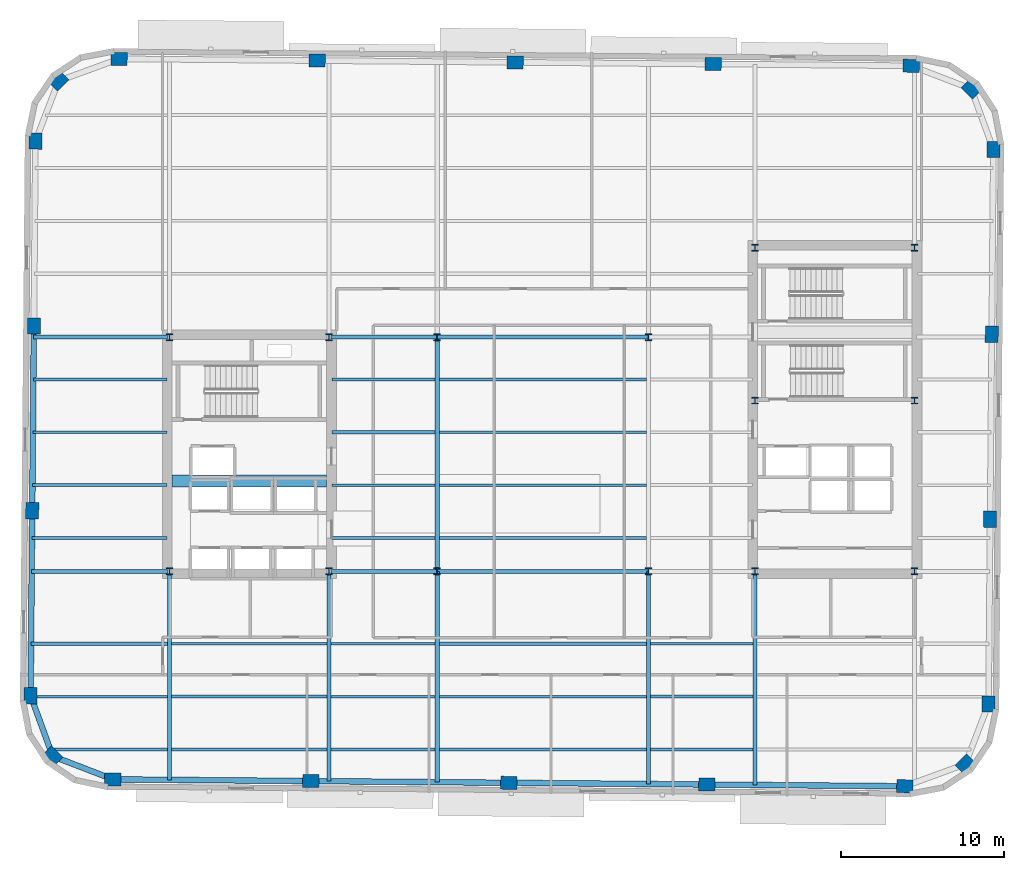
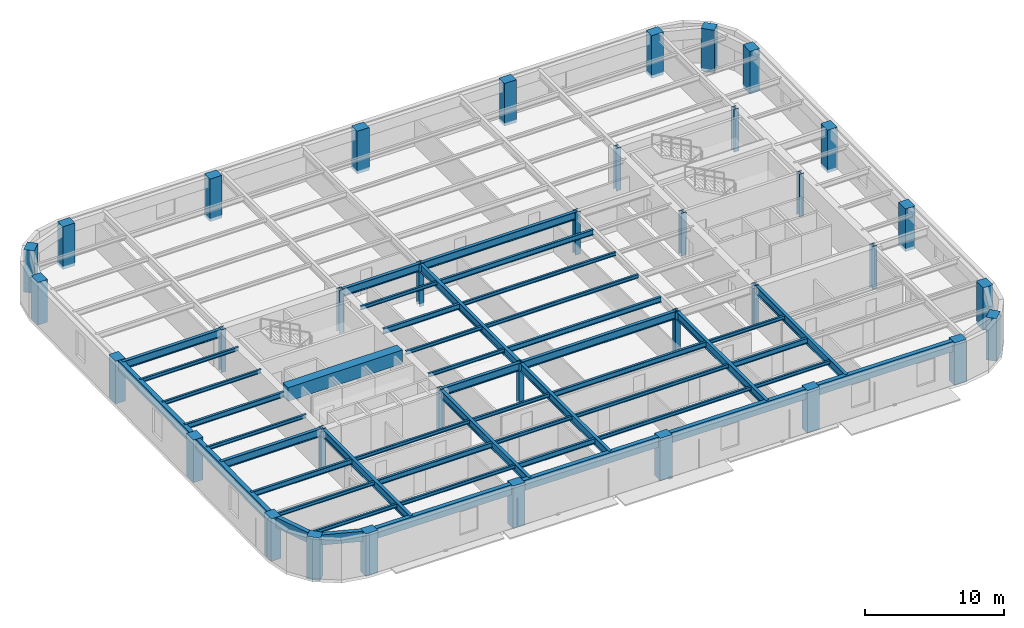
# One storey, part 1 of 11: 48 beams, 36 columns.
"""IFC4 building model written with IfcOpenShell, lengths in metres."""

from ifc_helpers import new_model, si_unit, direction, frame, origin, origin_2d, place, context, subcontext, project, spatial, rectangle, hollow_rectangle, i_section, extrude, material, material_profile, profile_set, type_object, element, save


model = new_model("IFC4")

# Units and contexts
model_context = context("Model", 3, precision=1e-05, world=origin(), true_north=direction((0.0, 1.0)))
body_context = subcontext(model_context, "Body", "Model", "MODEL_VIEW")
ifc_project = project(units=[si_unit("LENGTHUNIT", "METRE"), si_unit("AREAUNIT", "SQUARE_METRE"), si_unit("VOLUMEUNIT", "CUBIC_METRE"), si_unit("PLANEANGLEUNIT", "RADIAN"), si_unit("MASSUNIT", "GRAM", prefix="KILO")], contexts=[model_context])

# Site, building, storey
site_placement = place(None, origin())
site = spatial("IfcSite", under=ifc_project, at=site_placement, CompositionType="ELEMENT")
building_placement = place(site_placement, origin())
building = spatial("IfcBuilding", under=site, at=building_placement, Name="Kolvaren Arena Tower", CompositionType="ELEMENT")
storey_placement = place(building_placement, frame((0.0, 0.0, 195.949951171875)))
storey = spatial("IfcBuildingStorey", under=building, at=storey_placement, Name="L47", CompositionType="ELEMENT", Elevation=195.949951171875)

# Columns
ifc_material_1 = material(Name="Precast concrete C60/75", Category="concrete")
ifc_material_profile_1 = material_profile(ifc_material_1, rectangle(XDim=1.0, YDim=0.800048828125, at=origin_2d()), Name="RC-1000x800")
ifc_profile_set_1 = profile_set([ifc_material_profile_1], Name="Precast concrete C60/75")
column_type_1 = type_object("IfcColumnType", Name="EXCOL-Z3", PredefinedType="COLUMN", material=ifc_profile_set_1)
for number, where, z_axis, x_axis, name in (
    (1, (11.0576171875, 6.663330078125, -0.27001953125), (0.0, 0.0, 1.0), (0.999961923064, -0.008726535498, 0.0), "Exoskeleton Perimeter Column 01 (L47)"),
    (2, (23.232177734375, 6.55712890625, -0.27001953125), (0.0, 0.0, 1.0), (0.999961923064, -0.008726535498, 0.0), "Exoskeleton Perimeter Column 02 (L47)"),
    (3, (35.40673828125, 6.45068359375, -0.27001953125), (0.0, 0.0, 1.0), (0.999961923064, -0.008726535498, 0.0), "Exoskeleton Perimeter Column 03 (L47)"),
    (4, (47.581298828125, 6.344482421875, -0.27001953125), (0.0, 0.0, 1.0), (0.999961923064, -0.008726535498, 0.0), "Exoskeleton Perimeter Column 04 (L47)"),
    (5, (59.755859375, 6.23828125, -0.27001953125), (0.0, 0.0, 1.0), (0.999961923064, -0.008726535498, 0.0), "Exoskeleton Perimeter Column 05 (L47)"),
    (6, (63.4765625, 7.59716796875, -0.27001953125), (0.0, 0.0, 1.0), (0.713250449154, 0.7009092643, 0.0), "Exoskeleton Perimeter Column 06 (L47)"),
    (7, (64.900146484375, 11.293701171875, -0.27001953125), (0.0, 0.0, 1.0), (0.008726535498, 0.999961923064, 0.0), "Exoskeleton Perimeter Column 07 (L47)"),
    (8, (64.999267578125, 22.659912109375, -0.27001953125), (0.0, 0.0, 1.0), (0.008726535498, 0.999961923064, 0.0), "Exoskeleton Perimeter Column 08 (L47)"),
    (9, (65.098388671875, 34.026123046875, -0.27001953125), (0.0, 0.0, 1.0), (0.008726535498, 0.999961923064, 0.0), "Exoskeleton Perimeter Column 09 (L47)"),
    (10, (65.19775390625, 45.392333984375, -0.27001953125), (0.0, 0.0, 1.0), (0.008726535498, 0.999961923064, 0.0), "Exoskeleton Perimeter Column 10 (L47)"),
    (11, (63.8388671875, 49.113037109375, -0.27001953125), (0.0, 0.0, 1.0), (-0.7009092643, 0.713250449154, 0.0), "Exoskeleton Perimeter Column 11 (L47)"),
    (12, (60.142333984375, 50.53662109375, -0.27001953125), (0.0, 0.0, 1.0), (0.999961923064, -0.008726535498, 0.0), "Exoskeleton Perimeter Column 12 (L47)"),
    (13, (47.9677734375, 50.642822265625, -0.27001953125), (0.0, 0.0, 1.0), (0.999961923064, -0.008726535498, 0.0), "Exoskeleton Perimeter Column 13 (L47)"),
    (14, (35.793212890625, 50.749267578125, -0.27001953125), (0.0, 0.0, 1.0), (0.999961923064, -0.008726535498, 0.0), "Exoskeleton Perimeter Column 14 (L47)"),
    (15, (23.618896484375, 50.85546875, -0.27001953125), (0.0, 0.0, 1.0), (0.999961923064, -0.008726535498, 0.0), "Exoskeleton Perimeter Column 15 (L47)"),
    (16, (11.444091796875, 50.961669921875, -0.27001953125), (0.0, 0.0, 1.0), (0.999961923064, -0.008726535498, 0.0), "Exoskeleton Perimeter Column 16 (L47)"),
    (17, (7.723388671875, 49.602783203125, -0.27001953125), (0.0, 0.0, 1.0), (0.713250449154, 0.7009092643, 0.0), "Exoskeleton Perimeter Column 17 (L47)"),
    (18, (6.2998046875, 45.90625, -0.27001953125), (0.0, 0.0, 1.0), (0.008726535498, 0.999961923064, 0.0), "Exoskeleton Perimeter Column 18 (L47)"),
    (19, (6.20068359375, 34.5400390625, -0.27001953125), (0.0, 0.0, 1.0), (0.008726535498, 0.999961923064, 0.0), "Exoskeleton Perimeter Column 19 (L47)"),
    (20, (6.1015625, 23.173828125, -0.27001953125), (0.0, 0.0, 1.0), (0.008726535498, 0.999961923064, 0.0), "Exoskeleton Perimeter Column 20 (L47)"),
    (21, (6.002197265625, 11.8076171875, -0.27001953125), (0.0, 0.0, 1.0), (0.008726535498, 0.999961923064, 0.0), "Exoskeleton Perimeter Column 21 (L47)"),
    (22, (7.361083984375, 8.0869140625, -0.27001953125), (0.0, 0.0, 1.0), (-0.7009092643, 0.713250449154, 0.0), "Exoskeleton Perimeter Column 22 (L47)"),
):
    element("IfcColumn", number, at=place(storey_placement, frame(where, z_axis=z_axis, x_axis=x_axis)), inside=storey, type_object=column_type_1, Name=name, PredefinedType="COLUMN", context=body_context, shape_type="SweptSolid", body=[
        extrude(rectangle(XDim=1.0, YDim=0.800048828125, at=origin_2d()), origin(), (0.0, 0.0, 1.0), 3.75),
    ])
ifc_material_2 = material(Name="Steel ASTM A913 Grade 65", Category="steel")
ifc_material_profile_2 = material_profile(ifc_material_2, i_section(OverallWidth=0.406005859375, OverallDepth=0.416015625, WebThickness=0.02978515625, FlangeThickness=0.048095703125, FilletRadius=0.02001953125, at=origin_2d()), Name="W360x382")
ifc_profile_set_2 = profile_set([ifc_material_profile_2], Name="Steel ASTM A913 Grade 65")
column_type_2 = type_object("IfcColumnType", Name="SCOL-Z3", PredefinedType="COLUMN", material=ifc_profile_set_2)
for number, where, z_axis, x_axis, name in (
    (23, (14.550048828125, 19.449951171875, -0.27001953125), (0.0, 0.0, 1.0), (1.0, 0.0, 0.0), "Core Boundary Column WC-SW (L47)"),
    (24, (24.35009765625, 19.449951171875, -0.27001953125), (0.0, 0.0, 1.0), (1.0, 0.0, 0.0), "Core Boundary Column WC-SE (L47)"),
    (25, (14.550048828125, 33.85009765625, -0.27001953125), (0.0, 0.0, 1.0), (1.0, 0.0, 0.0), "Core Boundary Column WC-NW (L47)"),
    (26, (24.35009765625, 33.85009765625, -0.27001953125), (0.0, 0.0, 1.0), (1.0, 0.0, 0.0), "Core Boundary Column WC-NE (L47)"),
    (27, (50.550048828125, 19.449951171875, -0.27001953125), (0.0, 0.0, 1.0), (1.0, 0.0, 0.0), "Core Boundary Column EC-SW (L47)"),
    (28, (60.35009765625, 19.449951171875, -0.27001953125), (0.0, 0.0, 1.0), (1.0, 0.0, 0.0), "Core Boundary Column EC-SE (L47)"),
    (29, (50.550048828125, 29.949951171875, -0.27001953125), (0.0, 0.0, 1.0), (1.0, 0.0, 0.0), "Core Boundary Column EC-MW (L47)"),
    (30, (60.35009765625, 29.949951171875, -0.27001953125), (0.0, 0.0, 1.0), (1.0, 0.0, 0.0), "Core Boundary Column EC-ME (L47)"),
    (31, (50.550048828125, 39.35009765625, -0.27001953125), (0.0, 0.0, 1.0), (1.0, 0.0, 0.0), "Core Boundary Column EC-NW (L47)"),
    (32, (60.35009765625, 39.35009765625, -0.27001953125), (0.0, 0.0, 1.0), (1.0, 0.0, 0.0), "Core Boundary Column EC-NE (L47)"),
    (33, (31.0, 19.449951171875, -0.27001953125), (0.0, 0.0, 1.0), (1.0, 0.0, 0.0), "Interior Gravity Column TC-SW (L47)"),
    (34, (44.0, 19.449951171875, -0.27001953125), (0.0, 0.0, 1.0), (1.0, 0.0, 0.0), "Interior Gravity Column TC-SE (L47)"),
    (35, (31.0, 33.85009765625, -0.27001953125), (0.0, 0.0, 1.0), (1.0, 0.0, 0.0), "Interior Gravity Column TC-NW (L47)"),
    (36, (44.0, 33.85009765625, -0.27001953125), (0.0, 0.0, 1.0), (1.0, 0.0, 0.0), "Interior Gravity Column TC-NE (L47)"),
):
    element("IfcColumn", number, at=place(storey_placement, frame(where, z_axis=z_axis, x_axis=x_axis)), inside=storey, type_object=column_type_2, Name=name, PredefinedType="COLUMN", context=body_context, shape_type="SweptSolid", body=[
        extrude(i_section(OverallWidth=0.406005859375, OverallDepth=0.416015625, WebThickness=0.02978515625, FlangeThickness=0.048095703125, FilletRadius=0.02001953125, at=origin_2d()), origin(), (0.0, 0.0, 1.0), 3.75),
    ])

# Beams
ifc_material_3 = material(Name="Steel CSA G40.21 350W", Category="steel")
ifc_material_profile_3 = material_profile(ifc_material_3, i_section(OverallWidth=0.193115234375, OverallDepth=0.462890625, WebThickness=0.0107421875, FlangeThickness=0.0205078125, FilletRadius=0.012939453125, at=origin_2d()), Name="W460x113")
ifc_profile_set_3 = profile_set([ifc_material_profile_3], Name="Steel CSA G40.21 350W")
beam_type_1 = type_object("IfcBeamType", Name="BEAM-F2", PredefinedType="BEAM", material=ifc_profile_set_3)
beam_1_placement = place(storey_placement, frame((24.4775390625, 8.5, 3.24853515625), z_axis=(1.0, 0.0, 0.0), x_axis=(0.0, 1.0, 0.0)))
element("IfcBeam", 37, at=beam_1_placement, inside=storey, type_object=beam_type_1, Name="Composite Floor Beam (L47)", PredefinedType="BEAM", context=body_context, shape_type="SweptSolid", body=[
    extrude(i_section(OverallWidth=0.193115234375, OverallDepth=0.462890625, WebThickness=0.0107421875, FlangeThickness=0.0205078125, FilletRadius=0.012939453125, at=origin_2d()), origin(), (0.0, 0.0, 1.0), 6.39501953125),
])
beam_2_placement = place(storey_placement, frame((14.677490234375, 11.75, 3.24853515625), z_axis=(1.0, 0.0, 0.0), x_axis=(0.0, 1.0, 0.0)))
element("IfcBeam", 38, at=beam_2_placement, inside=storey, type_object=beam_type_1, Name="Composite Floor Beam (L47)", PredefinedType="BEAM", context=body_context, shape_type="SweptSolid", body=[
    extrude(i_section(OverallWidth=0.193115234375, OverallDepth=0.462890625, WebThickness=0.0107421875, FlangeThickness=0.0205078125, FilletRadius=0.012939453125, at=origin_2d()), origin(), (0.0, 0.0, 1.0), 9.544921875),
])
beam_3_placement = place(storey_placement, frame((44.12744140625, 11.75, 3.24853515625), z_axis=(1.0, 0.0, 0.0), x_axis=(0.0, 1.0, 0.0)))
element("IfcBeam", 39, at=beam_3_placement, inside=storey, type_object=beam_type_1, Name="Composite Floor Beam (L47)", PredefinedType="BEAM", context=body_context, shape_type="SweptSolid", body=[
    extrude(i_section(OverallWidth=0.193115234375, OverallDepth=0.462890625, WebThickness=0.0107421875, FlangeThickness=0.0205078125, FilletRadius=0.012939453125, at=origin_2d()), origin(), (0.0, 0.0, 1.0), 6.295166015625),
])
beam_4_placement = place(storey_placement, frame((6.0302734375, 15.0, 3.24853515625), z_axis=(1.0, 0.0, 0.0), x_axis=(0.0, 1.0, 0.0)))
element("IfcBeam", 40, at=beam_4_placement, inside=storey, type_object=beam_type_1, Name="Composite Floor Beam (L47)", PredefinedType="BEAM", context=body_context, shape_type="SweptSolid", body=[
    extrude(i_section(OverallWidth=0.193115234375, OverallDepth=0.462890625, WebThickness=0.0107421875, FlangeThickness=0.0205078125, FilletRadius=0.012939453125, at=origin_2d()), origin(), (0.0, 0.0, 1.0), 8.392333984375),
])
for number, where, z_axis, x_axis, name in (
    (41, (31.12744140625, 15.0, 3.24853515625), (1.0, 0.0, 0.0), (0.0, 1.0, 0.0), "Composite Floor Beam (L47)"),
    (42, (31.12744140625, 21.5, 3.24853515625), (1.0, 0.0, 0.0), (0.0, 1.0, 0.0), "Composite Floor Beam (L47)"),
):
    element("IfcBeam", number, at=place(storey_placement, frame(where, z_axis=z_axis, x_axis=x_axis)), inside=storey, type_object=beam_type_1, Name=name, PredefinedType="BEAM", context=body_context, shape_type="SweptSolid", body=[
        extrude(i_section(OverallWidth=0.193115234375, OverallDepth=0.462890625, WebThickness=0.0107421875, FlangeThickness=0.0205078125, FilletRadius=0.012939453125, at=origin_2d()), origin(), (0.0, 0.0, 1.0), 12.7451171875),
    ])
beam_5_placement = place(storey_placement, frame((6.115234375, 24.75, 3.24853515625), z_axis=(1.0, 0.0, 0.0), x_axis=(0.0, 1.0, 0.0)))
element("IfcBeam", 43, at=beam_5_placement, inside=storey, type_object=beam_type_1, Name="Composite Floor Beam (L47)", PredefinedType="BEAM", context=body_context, shape_type="SweptSolid", body=[
    extrude(i_section(OverallWidth=0.193115234375, OverallDepth=0.462890625, WebThickness=0.0107421875, FlangeThickness=0.0205078125, FilletRadius=0.012939453125, at=origin_2d()), origin(), (0.0, 0.0, 1.0), 8.2646484375),
])
beam_6_placement = place(storey_placement, frame((24.52001953125, 28.0, 3.24853515625), z_axis=(1.0, 0.0, 0.0), x_axis=(0.0, 1.0, 0.0)))
element("IfcBeam", 44, at=beam_6_placement, inside=storey, type_object=beam_type_1, Name="Composite Floor Beam (L47)", PredefinedType="BEAM", context=body_context, shape_type="SweptSolid", body=[
    extrude(i_section(OverallWidth=0.193115234375, OverallDepth=0.462890625, WebThickness=0.0107421875, FlangeThickness=0.0205078125, FilletRadius=0.012939453125, at=origin_2d()), origin(), (0.0, 0.0, 1.0), 6.3525390625),
])
beam_7_placement = place(storey_placement, frame((31.12744140625, 31.25, 3.24853515625), z_axis=(1.0, 0.0, 0.0), x_axis=(0.0, 1.0, 0.0)))
element("IfcBeam", 45, at=beam_7_placement, inside=storey, type_object=beam_type_1, Name="Composite Floor Beam (L47)", PredefinedType="BEAM", context=body_context, shape_type="SweptSolid", body=[
    extrude(i_section(OverallWidth=0.193115234375, OverallDepth=0.462890625, WebThickness=0.0107421875, FlangeThickness=0.0205078125, FilletRadius=0.012939453125, at=origin_2d()), origin(), (0.0, 0.0, 1.0), 12.7451171875),
])
ifc_material_4 = material(Name="Concrete 60 MPa", Category="concrete")
ifc_material_profile_4 = material_profile(ifc_material_4, rectangle(XDim=0.75, YDim=1.199951171875, at=origin_2d()), Name="RC-750x1200")
ifc_profile_set_4 = profile_set([ifc_material_profile_4], Name="Concrete 60 MPa")
beam_type_2 = type_object("IfcBeamType", Name="CB-CORE-2", PredefinedType="BEAM", material=ifc_profile_set_4)
beam_8_placement = place(storey_placement, frame((14.699951171875, 25.0, 3.150146484375), z_axis=(1.0, 0.0, 0.0), x_axis=(0.0, 1.0, 0.0)))
element("IfcBeam", 46, at=beam_8_placement, inside=storey, type_object=beam_type_2, Name="West Core Coupling Beam (L47)", PredefinedType="BEAM", context=body_context, shape_type="SweptSolid", body=[
    extrude(rectangle(XDim=0.75, YDim=1.199951171875, at=origin_2d()), origin(), (0.0, 0.0, 1.0), 9.5),
])
ifc_material_profile_5 = material_profile(ifc_material_3, i_section(OverallWidth=0.2548828125, OverallDepth=0.695068359375, WebThickness=0.01708984375, FlangeThickness=0.02978515625, FilletRadius=0.01611328125, at=origin_2d()), Name="W690x217")
ifc_profile_set_5 = profile_set([ifc_material_profile_5], Name="Steel CSA G40.21 350W")
beam_type_3 = type_object("IfcBeamType", Name="GIRD-T2", PredefinedType="BEAM", material=ifc_profile_set_5)
beam_9_placement = place(storey_placement, frame((6.069091796875, 19.449951171875, 3.132568359375), z_axis=(1.0, 0.0, 0.0), x_axis=(0.0, 1.0, 0.0)))
element("IfcBeam", 47, at=beam_9_placement, inside=storey, type_object=beam_type_3, Name="Primary Floor Girder (L47)", PredefinedType="BEAM", context=body_context, shape_type="SweptSolid", body=[
    extrude(i_section(OverallWidth=0.2548828125, OverallDepth=0.695068359375, WebThickness=0.01708984375, FlangeThickness=0.02978515625, FilletRadius=0.01611328125, at=origin_2d()), origin(), (0.0, 0.0, 1.0), 8.350830078125),
])
beam_10_placement = place(storey_placement, frame((24.47998046875, 19.449951171875, 3.132568359375), z_axis=(1.0, 0.0, 0.0), x_axis=(0.0, 1.0, 0.0)))
element("IfcBeam", 48, at=beam_10_placement, inside=storey, type_object=beam_type_3, Name="Primary Floor Girder (L47)", PredefinedType="BEAM", context=body_context, shape_type="SweptSolid", body=[
    extrude(i_section(OverallWidth=0.2548828125, OverallDepth=0.695068359375, WebThickness=0.01708984375, FlangeThickness=0.02978515625, FilletRadius=0.01611328125, at=origin_2d()), origin(), (0.0, 0.0, 1.0), 6.52001953125),
])
beam_11_placement = place(storey_placement, frame((31.0, 19.449951171875, 3.132568359375), z_axis=(1.0, 0.0, 0.0), x_axis=(0.0, 1.0, 0.0)))
element("IfcBeam", 49, at=beam_11_placement, inside=storey, type_object=beam_type_3, Name="Primary Floor Girder (L47)", PredefinedType="BEAM", context=body_context, shape_type="SweptSolid", body=[
    extrude(i_section(OverallWidth=0.2548828125, OverallDepth=0.695068359375, WebThickness=0.01708984375, FlangeThickness=0.02978515625, FilletRadius=0.01611328125, at=origin_2d()), origin(), (0.0, 0.0, 1.0), 13.0),
])
beam_12_placement = place(storey_placement, frame((6.194580078125, 33.85009765625, 3.132568359375), z_axis=(1.0, 0.0, 0.0), x_axis=(0.0, 1.0, 0.0)))
element("IfcBeam", 50, at=beam_12_placement, inside=storey, type_object=beam_type_3, Name="Primary Floor Girder (L47)", PredefinedType="BEAM", context=body_context, shape_type="SweptSolid", body=[
    extrude(i_section(OverallWidth=0.2548828125, OverallDepth=0.695068359375, WebThickness=0.01708984375, FlangeThickness=0.02978515625, FilletRadius=0.01611328125, at=origin_2d()), origin(), (0.0, 0.0, 1.0), 8.225341796875),
])
beam_13_placement = place(storey_placement, frame((24.47998046875, 33.85009765625, 3.132568359375), z_axis=(1.0, 0.0, 0.0), x_axis=(0.0, 1.0, 0.0)))
element("IfcBeam", 51, at=beam_13_placement, inside=storey, type_object=beam_type_3, Name="Primary Floor Girder (L47)", PredefinedType="BEAM", context=body_context, shape_type="SweptSolid", body=[
    extrude(i_section(OverallWidth=0.2548828125, OverallDepth=0.695068359375, WebThickness=0.01708984375, FlangeThickness=0.02978515625, FilletRadius=0.01611328125, at=origin_2d()), origin(), (0.0, 0.0, 1.0), 6.52001953125),
])
beam_14_placement = place(storey_placement, frame((31.0, 33.85009765625, 3.132568359375), z_axis=(1.0, 0.0, 0.0), x_axis=(0.0, 1.0, 0.0)))
element("IfcBeam", 52, at=beam_14_placement, inside=storey, type_object=beam_type_3, Name="Primary Floor Girder (L47)", PredefinedType="BEAM", context=body_context, shape_type="SweptSolid", body=[
    extrude(i_section(OverallWidth=0.2548828125, OverallDepth=0.695068359375, WebThickness=0.01708984375, FlangeThickness=0.02978515625, FilletRadius=0.01611328125, at=origin_2d()), origin(), (0.0, 0.0, 1.0), 13.0),
])
beam_15_placement = place(storey_placement, frame((14.550048828125, 6.6328125, 3.132568359375), z_axis=(0.0, 1.0, 0.0), x_axis=(-1.0, 0.0, 0.0)))
element("IfcBeam", 53, at=beam_15_placement, inside=storey, type_object=beam_type_3, Name="Primary Floor Girder (L47)", PredefinedType="BEAM", context=body_context, shape_type="SweptSolid", body=[
    extrude(i_section(OverallWidth=0.2548828125, OverallDepth=0.695068359375, WebThickness=0.01708984375, FlangeThickness=0.02978515625, FilletRadius=0.01611328125, at=origin_2d()), origin(), (0.0, 0.0, 1.0), 12.687255859375),
])
beam_16_placement = place(storey_placement, frame((24.35009765625, 6.54736328125, 3.132568359375), z_axis=(0.0, 1.0, 0.0), x_axis=(-1.0, 0.0, 0.0)))
element("IfcBeam", 54, at=beam_16_placement, inside=storey, type_object=beam_type_3, Name="Primary Floor Girder (L47)", PredefinedType="BEAM", context=body_context, shape_type="SweptSolid", body=[
    extrude(i_section(OverallWidth=0.2548828125, OverallDepth=0.695068359375, WebThickness=0.01708984375, FlangeThickness=0.02978515625, FilletRadius=0.01611328125, at=origin_2d()), origin(), (0.0, 0.0, 1.0), 12.772705078125),
])
beam_17_placement = place(storey_placement, frame((31.0, 6.4892578125, 3.132568359375), z_axis=(0.0, 1.0, 0.0), x_axis=(-1.0, 0.0, 0.0)))
element("IfcBeam", 55, at=beam_17_placement, inside=storey, type_object=beam_type_3, Name="Primary Floor Girder (L47)", PredefinedType="BEAM", context=body_context, shape_type="SweptSolid", body=[
    extrude(i_section(OverallWidth=0.2548828125, OverallDepth=0.695068359375, WebThickness=0.01708984375, FlangeThickness=0.02978515625, FilletRadius=0.01611328125, at=origin_2d()), origin(), (0.0, 0.0, 1.0), 12.960693359375),
])
beam_18_placement = place(storey_placement, frame((31.0, 19.449951171875, 3.132568359375), z_axis=(0.0, 1.0, 0.0), x_axis=(-1.0, 0.0, 0.0)))
element("IfcBeam", 56, at=beam_18_placement, inside=storey, type_object=beam_type_3, Name="Primary Floor Girder (L47)", PredefinedType="BEAM", context=body_context, shape_type="SweptSolid", body=[
    extrude(i_section(OverallWidth=0.2548828125, OverallDepth=0.695068359375, WebThickness=0.01708984375, FlangeThickness=0.02978515625, FilletRadius=0.01611328125, at=origin_2d()), origin(), (0.0, 0.0, 1.0), 14.400146484375),
])
beam_19_placement = place(storey_placement, frame((44.0, 6.375732421875, 3.132568359375), z_axis=(0.0, 1.0, 0.0), x_axis=(-1.0, 0.0, 0.0)))
element("IfcBeam", 57, at=beam_19_placement, inside=storey, type_object=beam_type_3, Name="Primary Floor Girder (L47)", PredefinedType="BEAM", context=body_context, shape_type="SweptSolid", body=[
    extrude(i_section(OverallWidth=0.2548828125, OverallDepth=0.695068359375, WebThickness=0.01708984375, FlangeThickness=0.02978515625, FilletRadius=0.01611328125, at=origin_2d()), origin(), (0.0, 0.0, 1.0), 13.07421875),
])
beam_20_placement = place(storey_placement, frame((50.550048828125, 6.318603515625, 3.132568359375), z_axis=(0.0, 1.0, 0.0), x_axis=(-1.0, 0.0, 0.0)))
element("IfcBeam", 58, at=beam_20_placement, inside=storey, type_object=beam_type_3, Name="Primary Floor Girder (L47)", PredefinedType="BEAM", context=body_context, shape_type="SweptSolid", body=[
    extrude(i_section(OverallWidth=0.2548828125, OverallDepth=0.695068359375, WebThickness=0.01708984375, FlangeThickness=0.02978515625, FilletRadius=0.01611328125, at=origin_2d()), origin(), (0.0, 0.0, 1.0), 13.00146484375),
])
ifc_material_profile_6 = material_profile(ifc_material_3, i_section(OverallWidth=0.1669921875, OverallDepth=0.31689453125, WebThickness=0.007568359375, FlangeThickness=0.01318359375, FilletRadius=0.010009765625, at=origin_2d()), Name="W310x52")
ifc_profile_set_6 = profile_set([ifc_material_profile_6], Name="Steel CSA G40.21 350W")
beam_type_4 = type_object("IfcBeamType", Name="JOIST-02", PredefinedType="JOIST", material=ifc_profile_set_6)
beam_21_placement = place(storey_placement, frame((7.210205078125, 8.5, 3.321533203125), z_axis=(1.0, 0.0, 0.0), x_axis=(0.0, 1.0, 0.0)))
element("IfcBeam", 59, at=beam_21_placement, inside=storey, type_object=beam_type_4, Name="Composite Floor Joist (L47)", PredefinedType="JOIST", context=body_context, shape_type="SweptSolid", body=[
    extrude(i_section(OverallWidth=0.1669921875, OverallDepth=0.31689453125, WebThickness=0.007568359375, FlangeThickness=0.01318359375, FilletRadius=0.010009765625, at=origin_2d()), origin(), (0.0, 0.0, 1.0), 7.21240234375),
])
beam_22_placement = place(storey_placement, frame((14.677490234375, 8.5, 3.321533203125), z_axis=(1.0, 0.0, 0.0), x_axis=(0.0, 1.0, 0.0)))
element("IfcBeam", 60, at=beam_22_placement, inside=storey, type_object=beam_type_4, Name="Composite Floor Joist (L47)", PredefinedType="JOIST", context=body_context, shape_type="SweptSolid", body=[
    extrude(i_section(OverallWidth=0.1669921875, OverallDepth=0.31689453125, WebThickness=0.007568359375, FlangeThickness=0.01318359375, FilletRadius=0.010009765625, at=origin_2d()), origin(), (0.0, 0.0, 1.0), 9.544921875),
])
beam_23_placement = place(storey_placement, frame((31.12744140625, 8.5, 3.321533203125), z_axis=(1.0, 0.0, 0.0), x_axis=(0.0, 1.0, 0.0)))
element("IfcBeam", 61, at=beam_23_placement, inside=storey, type_object=beam_type_4, Name="Composite Floor Joist (L47)", PredefinedType="JOIST", context=body_context, shape_type="SweptSolid", body=[
    extrude(i_section(OverallWidth=0.1669921875, OverallDepth=0.31689453125, WebThickness=0.007568359375, FlangeThickness=0.01318359375, FilletRadius=0.010009765625, at=origin_2d()), origin(), (0.0, 0.0, 1.0), 12.7451171875),
])
beam_24_placement = place(storey_placement, frame((44.12744140625, 8.5, 3.321533203125), z_axis=(1.0, 0.0, 0.0), x_axis=(0.0, 1.0, 0.0)))
element("IfcBeam", 62, at=beam_24_placement, inside=storey, type_object=beam_type_4, Name="Composite Floor Joist (L47)", PredefinedType="JOIST", context=body_context, shape_type="SweptSolid", body=[
    extrude(i_section(OverallWidth=0.1669921875, OverallDepth=0.31689453125, WebThickness=0.007568359375, FlangeThickness=0.01318359375, FilletRadius=0.010009765625, at=origin_2d()), origin(), (0.0, 0.0, 1.0), 6.295166015625),
])
beam_25_placement = place(storey_placement, frame((6.023193359375, 11.75, 3.321533203125), z_axis=(1.0, 0.0, 0.0), x_axis=(0.0, 1.0, 0.0)))
element("IfcBeam", 63, at=beam_25_placement, inside=storey, type_object=beam_type_4, Name="Composite Floor Joist (L47)", PredefinedType="JOIST", context=body_context, shape_type="SweptSolid", body=[
    extrude(i_section(OverallWidth=0.1669921875, OverallDepth=0.31689453125, WebThickness=0.007568359375, FlangeThickness=0.01318359375, FilletRadius=0.010009765625, at=origin_2d()), origin(), (0.0, 0.0, 1.0), 8.3994140625),
])
beam_26_placement = place(storey_placement, frame((24.4775390625, 11.75, 3.321533203125), z_axis=(1.0, 0.0, 0.0), x_axis=(0.0, 1.0, 0.0)))
element("IfcBeam", 64, at=beam_26_placement, inside=storey, type_object=beam_type_4, Name="Composite Floor Joist (L47)", PredefinedType="JOIST", context=body_context, shape_type="SweptSolid", body=[
    extrude(i_section(OverallWidth=0.1669921875, OverallDepth=0.31689453125, WebThickness=0.007568359375, FlangeThickness=0.01318359375, FilletRadius=0.010009765625, at=origin_2d()), origin(), (0.0, 0.0, 1.0), 6.39501953125),
])
beam_27_placement = place(storey_placement, frame((31.12744140625, 11.75, 3.321533203125), z_axis=(1.0, 0.0, 0.0), x_axis=(0.0, 1.0, 0.0)))
element("IfcBeam", 65, at=beam_27_placement, inside=storey, type_object=beam_type_4, Name="Composite Floor Joist (L47)", PredefinedType="JOIST", context=body_context, shape_type="SweptSolid", body=[
    extrude(i_section(OverallWidth=0.1669921875, OverallDepth=0.31689453125, WebThickness=0.007568359375, FlangeThickness=0.01318359375, FilletRadius=0.010009765625, at=origin_2d()), origin(), (0.0, 0.0, 1.0), 12.7451171875),
])
beam_28_placement = place(storey_placement, frame((14.677490234375, 15.0, 3.321533203125), z_axis=(1.0, 0.0, 0.0), x_axis=(0.0, 1.0, 0.0)))
element("IfcBeam", 66, at=beam_28_placement, inside=storey, type_object=beam_type_4, Name="Composite Floor Joist (L47)", PredefinedType="JOIST", context=body_context, shape_type="SweptSolid", body=[
    extrude(i_section(OverallWidth=0.1669921875, OverallDepth=0.31689453125, WebThickness=0.007568359375, FlangeThickness=0.01318359375, FilletRadius=0.010009765625, at=origin_2d()), origin(), (0.0, 0.0, 1.0), 9.544921875),
])
beam_29_placement = place(storey_placement, frame((24.4775390625, 15.0, 3.321533203125), z_axis=(1.0, 0.0, 0.0), x_axis=(0.0, 1.0, 0.0)))
element("IfcBeam", 67, at=beam_29_placement, inside=storey, type_object=beam_type_4, Name="Composite Floor Joist (L47)", PredefinedType="JOIST", context=body_context, shape_type="SweptSolid", body=[
    extrude(i_section(OverallWidth=0.1669921875, OverallDepth=0.31689453125, WebThickness=0.007568359375, FlangeThickness=0.01318359375, FilletRadius=0.010009765625, at=origin_2d()), origin(), (0.0, 0.0, 1.0), 6.39501953125),
])
beam_30_placement = place(storey_placement, frame((44.12744140625, 15.0, 3.321533203125), z_axis=(1.0, 0.0, 0.0), x_axis=(0.0, 1.0, 0.0)))
element("IfcBeam", 68, at=beam_30_placement, inside=storey, type_object=beam_type_4, Name="Composite Floor Joist (L47)", PredefinedType="JOIST", context=body_context, shape_type="SweptSolid", body=[
    extrude(i_section(OverallWidth=0.1669921875, OverallDepth=0.31689453125, WebThickness=0.007568359375, FlangeThickness=0.01318359375, FilletRadius=0.010009765625, at=origin_2d()), origin(), (0.0, 0.0, 1.0), 6.295166015625),
])
beam_31_placement = place(storey_placement, frame((6.0869140625, 21.5, 3.321533203125), z_axis=(1.0, 0.0, 0.0), x_axis=(0.0, 1.0, 0.0)))
element("IfcBeam", 69, at=beam_31_placement, inside=storey, type_object=beam_type_4, Name="Composite Floor Joist (L47)", PredefinedType="JOIST", context=body_context, shape_type="SweptSolid", body=[
    extrude(i_section(OverallWidth=0.1669921875, OverallDepth=0.31689453125, WebThickness=0.007568359375, FlangeThickness=0.01318359375, FilletRadius=0.010009765625, at=origin_2d()), origin(), (0.0, 0.0, 1.0), 8.29296875),
])
for number, where, z_axis, x_axis, name in (
    (70, (24.52001953125, 21.5, 3.321533203125), (1.0, 0.0, 0.0), (0.0, 1.0, 0.0), "Composite Floor Joist (L47)"),
    (71, (24.52001953125, 24.75, 3.321533203125), (1.0, 0.0, 0.0), (0.0, 1.0, 0.0), "Composite Floor Joist (L47)"),
):
    element("IfcBeam", number, at=place(storey_placement, frame(where, z_axis=z_axis, x_axis=x_axis)), inside=storey, type_object=beam_type_4, Name=name, PredefinedType="JOIST", context=body_context, shape_type="SweptSolid", body=[
        extrude(i_section(OverallWidth=0.1669921875, OverallDepth=0.31689453125, WebThickness=0.007568359375, FlangeThickness=0.01318359375, FilletRadius=0.010009765625, at=origin_2d()), origin(), (0.0, 0.0, 1.0), 6.3525390625),
    ])
beam_32_placement = place(storey_placement, frame((31.12744140625, 24.75, 3.321533203125), z_axis=(1.0, 0.0, 0.0), x_axis=(0.0, 1.0, 0.0)))
element("IfcBeam", 72, at=beam_32_placement, inside=storey, type_object=beam_type_4, Name="Composite Floor Joist (L47)", PredefinedType="JOIST", context=body_context, shape_type="SweptSolid", body=[
    extrude(i_section(OverallWidth=0.1669921875, OverallDepth=0.31689453125, WebThickness=0.007568359375, FlangeThickness=0.01318359375, FilletRadius=0.010009765625, at=origin_2d()), origin(), (0.0, 0.0, 1.0), 12.7451171875),
])
beam_33_placement = place(storey_placement, frame((6.1435546875, 28.0, 3.321533203125), z_axis=(1.0, 0.0, 0.0), x_axis=(0.0, 1.0, 0.0)))
element("IfcBeam", 73, at=beam_33_placement, inside=storey, type_object=beam_type_4, Name="Composite Floor Joist (L47)", PredefinedType="JOIST", context=body_context, shape_type="SweptSolid", body=[
    extrude(i_section(OverallWidth=0.1669921875, OverallDepth=0.31689453125, WebThickness=0.007568359375, FlangeThickness=0.01318359375, FilletRadius=0.010009765625, at=origin_2d()), origin(), (0.0, 0.0, 1.0), 8.236328125),
])
beam_34_placement = place(storey_placement, frame((31.12744140625, 28.0, 3.321533203125), z_axis=(1.0, 0.0, 0.0), x_axis=(0.0, 1.0, 0.0)))
element("IfcBeam", 74, at=beam_34_placement, inside=storey, type_object=beam_type_4, Name="Composite Floor Joist (L47)", PredefinedType="JOIST", context=body_context, shape_type="SweptSolid", body=[
    extrude(i_section(OverallWidth=0.1669921875, OverallDepth=0.31689453125, WebThickness=0.007568359375, FlangeThickness=0.01318359375, FilletRadius=0.010009765625, at=origin_2d()), origin(), (0.0, 0.0, 1.0), 12.7451171875),
])
beam_35_placement = place(storey_placement, frame((6.172119140625, 31.25, 3.321533203125), z_axis=(1.0, 0.0, 0.0), x_axis=(0.0, 1.0, 0.0)))
element("IfcBeam", 75, at=beam_35_placement, inside=storey, type_object=beam_type_4, Name="Composite Floor Joist (L47)", PredefinedType="JOIST", context=body_context, shape_type="SweptSolid", body=[
    extrude(i_section(OverallWidth=0.1669921875, OverallDepth=0.31689453125, WebThickness=0.007568359375, FlangeThickness=0.01318359375, FilletRadius=0.010009765625, at=origin_2d()), origin(), (0.0, 0.0, 1.0), 8.207763671875),
])
beam_36_placement = place(storey_placement, frame((24.52001953125, 31.25, 3.321533203125), z_axis=(1.0, 0.0, 0.0), x_axis=(0.0, 1.0, 0.0)))
element("IfcBeam", 76, at=beam_36_placement, inside=storey, type_object=beam_type_4, Name="Composite Floor Joist (L47)", PredefinedType="JOIST", context=body_context, shape_type="SweptSolid", body=[
    extrude(i_section(OverallWidth=0.1669921875, OverallDepth=0.31689453125, WebThickness=0.007568359375, FlangeThickness=0.01318359375, FilletRadius=0.010009765625, at=origin_2d()), origin(), (0.0, 0.0, 1.0), 6.3525390625),
])
ifc_material_5 = material(Name="Steel CSA G40.21 350WT", Category="steel")
ifc_material_profile_7 = material_profile(ifc_material_5, hollow_rectangle(XDim=0.35009765625, YDim=0.89990234375, WallThickness=0.02001953125, at=origin_2d()), Name="HSS 900x350x20")
ifc_profile_set_7 = profile_set([ifc_material_profile_7], Name="Steel CSA G40.21 350WT")
beam_type_5 = type_object("IfcBeamType", Name="SPAND-01", PredefinedType="SPANDREL", material=ifc_profile_set_7)
for number, where, z_axis, x_axis, name in (
    (77, (11.0576171875, 6.663330078125, 3.030029296875), (0.99996195503, -0.008722871848, 0.0), (0.008722871848, 0.99996195503, 0.0), "Perimeter Spandrel Beam (L47)"),
    (78, (23.232177734375, 6.55712890625, 3.030029296875), (0.999961779919, -0.008742922896, 0.0), (0.008742922896, 0.999961779919, 0.0), "Perimeter Spandrel Beam (L47)"),
    (79, (35.40673828125, 6.45068359375, 3.030029296875), (0.99996195503, -0.008722871848, 0.0), (0.008722871848, 0.99996195503, 0.0), "Perimeter Spandrel Beam (L47)"),
    (80, (47.581298828125, 6.344482421875, 3.030029296875), (0.99996195503, -0.008722871848, 0.0), (0.008722871848, 0.99996195503, 0.0), "Perimeter Spandrel Beam (L47)"),
):
    element("IfcBeam", number, at=place(storey_placement, frame(where, z_axis=z_axis, x_axis=x_axis)), inside=storey, type_object=beam_type_5, Name=name, PredefinedType="SPANDREL", context=body_context, shape_type="SweptSolid", body=[
        extrude(hollow_rectangle(XDim=0.35009765625, YDim=0.89990234375, WallThickness=0.02001953125, at=origin_2d()), origin(), (0.0, 0.0, 1.0), 12.175048828125),
    ])
for number, where, z_axis, x_axis, name in (
    (81, (6.20068359375, 34.5400390625, 3.030029296875), (-0.008720348885, -0.999961977035, 0.0), (0.999961977035, -0.008720348885, 0.0), "Perimeter Spandrel Beam (L47)"),
    (82, (6.1015625, 23.173828125, 3.030029296875), (-0.008741825937, -0.99996178951, 0.0), (0.99996178951, -0.008741825937, 0.0), "Perimeter Spandrel Beam (L47)"),
):
    element("IfcBeam", number, at=place(storey_placement, frame(where, z_axis=z_axis, x_axis=x_axis)), inside=storey, type_object=beam_type_5, Name=name, PredefinedType="SPANDREL", context=body_context, shape_type="SweptSolid", body=[
        extrude(hollow_rectangle(XDim=0.35009765625, YDim=0.89990234375, WallThickness=0.02001953125, at=origin_2d()), origin(), (0.0, 0.0, 1.0), 11.36669921875),
    ])
for number, where, z_axis, x_axis, name in (
    (83, (6.002197265625, 11.8076171875, 3.030029296875), (0.343059102458, -0.939313819882, 0.0), (0.939313819882, 0.343059102458, 0.0), "Perimeter Spandrel Beam (L47)"),
    (84, (7.361083984375, 8.0869140625, 3.030029296875), (0.933189846698, -0.359383792094, 0.0), (0.359383792094, 0.933189846698, 0.0), "Perimeter Spandrel Beam (L47)"),
):
    element("IfcBeam", number, at=place(storey_placement, frame(where, z_axis=z_axis, x_axis=x_axis)), inside=storey, type_object=beam_type_5, Name=name, PredefinedType="SPANDREL", context=body_context, shape_type="SweptSolid", body=[
        extrude(hollow_rectangle(XDim=0.35009765625, YDim=0.89990234375, WallThickness=0.02001953125, at=origin_2d()), origin(), (0.0, 0.0, 1.0), 3.961181640625),
    ])

save(model, "model.ifc")
